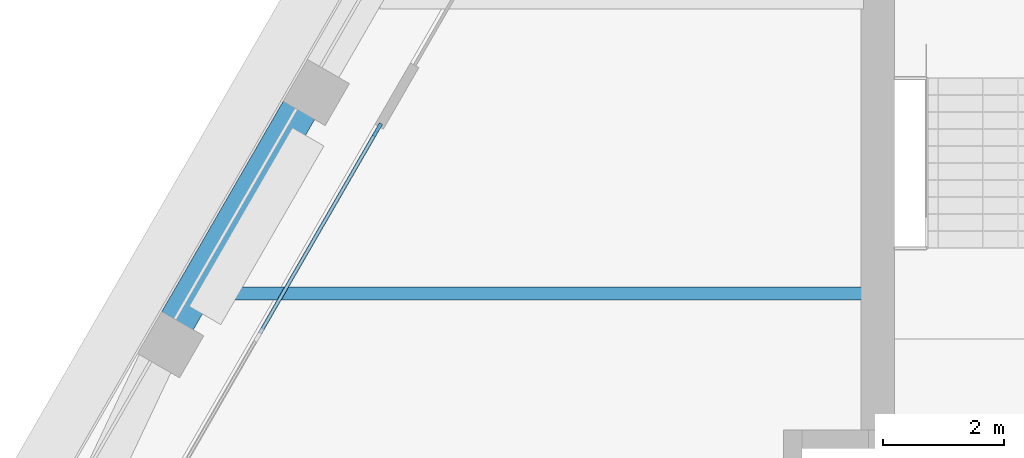
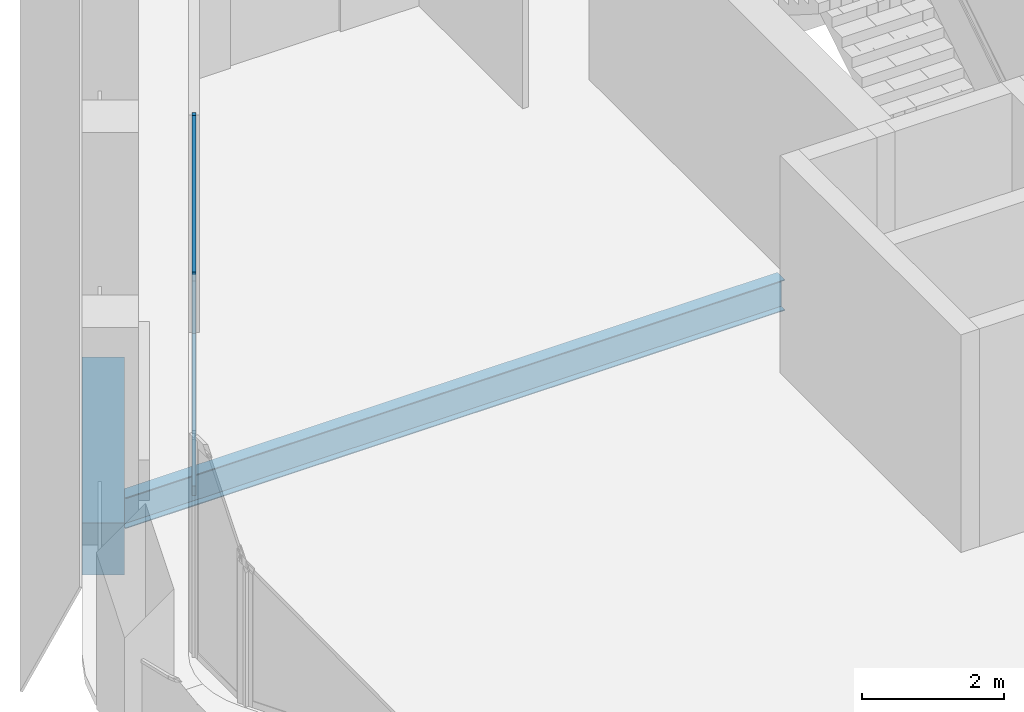
# One storey, part 3 of 17: 3 members, 2 beams, 1 element without a shape of its own.
"""IFC4 building model written with IfcOpenShell, lengths in metres."""

import ifcopenshell
import ifcopenshell.guid

model = None  # the IFC model being written
_history = None  # IfcOwnerHistory: only IFC2X3 demands one
_inside = {}  # id of a spatial element -> (the spatial element, [elements in it])
_under = {}  # id of a project, library or spatial element -> (it, [spatial elements below it])
_declared = {}  # id of a project -> (the project, [libraries it declares])
_typed = {}  # id of a type object -> (the type object, [elements of that type])
_made_of = {}  # id of a material, layer set ... -> (it, [elements and type objects made of it])


def new_model(schema):
    """Start an empty IFC model of exactly this schema.

    Asked for "IFC4X3", IfcOpenShell would pick the latest addendum, in which some entities
    have other attributes; the version numbers below select the first issue.
    IFC2X3 requires an IfcOwnerHistory on every rooted entity: one is made here for all.
    """
    global model, _history
    if schema == "IFC4X3":
        model = ifcopenshell.file(schema_version=(4, 3, 0, 0))
    else:
        model = ifcopenshell.file(schema=schema)
    _inside.clear()
    _under.clear()
    _declared.clear()
    _typed.clear()
    _made_of.clear()
    _history = None
    if model.schema == "IFC2X3":
        org = make("IfcOrganization", Name="unknown")
        user = make(
            "IfcPersonAndOrganization",
            ThePerson=make("IfcPerson", FamilyName="unknown"),
            TheOrganization=org,
        )
        app = make(
            "IfcApplication",
            ApplicationDeveloper=org,
            Version="unknown",
            ApplicationFullName="unknown",
            ApplicationIdentifier="unknown",
        )
        _history = make(
            "IfcOwnerHistory",
            OwningUser=user,
            OwningApplication=app,
            ChangeAction="ADDED",
            CreationDate=0,
        )
    return model


def make(cls, **values):
    """One entity of the class cls with the attributes given. An attribute that is None is left unset."""
    return model.create_entity(
        cls, **{name: value for name, value in values.items() if value is not None}
    )


def rooted(cls, **values):
    """An entity with a GlobalId (a new one), such as an element, a storey or a relation."""
    return make(cls, GlobalId=ifcopenshell.guid.new(), OwnerHistory=_history, **values)


def si_unit(unit_type, name, prefix=None):
    """IfcSIUnit, for example si_unit("LENGTHUNIT", "METRE", prefix="MILLI")."""
    return make("IfcSIUnit", UnitType=unit_type, Prefix=prefix, Name=name)


def assignment(units):
    """IfcUnitAssignment: the units of a project."""
    return None if units is None else make("IfcUnitAssignment", Units=units)


def point(xyz):
    """IfcCartesianPoint."""
    return None if xyz is None else make("IfcCartesianPoint", Coordinates=xyz)


def direction(xyz):
    """IfcDirection."""
    return None if xyz is None else make("IfcDirection", DirectionRatios=xyz)


def frame(location, z_axis=None, x_axis=None):
    """IfcAxis2Placement3D, a coordinate frame: its origin and axes. An axis left out is left unset."""
    return make(
        "IfcAxis2Placement3D",
        Location=point(location),
        Axis=direction(z_axis),
        RefDirection=direction(x_axis),
    )


def frame_2d(location, x_axis=None):
    """IfcAxis2Placement2D, a coordinate frame in the plane: its origin and x axis."""
    return make(
        "IfcAxis2Placement2D", Location=point(location), RefDirection=direction(x_axis)
    )


def origin():
    """The frame at (0, 0, 0) with its axes left unset."""
    return frame((0.0, 0.0, 0.0))


def origin_2d():
    """The frame at (0, 0) in the plane with its x axis left unset."""
    return frame_2d((0.0, 0.0))


def place(relative_to, where):
    """IfcLocalPlacement: puts the frame where relative to a parent placement (None: the world)."""
    return make(
        "IfcLocalPlacement", PlacementRelTo=relative_to, RelativePlacement=where
    )


def context(
    kind, dimensions, precision=None, world=None, true_north=None, identifier=None
):
    """IfcGeometricRepresentationContext, for example the 3D "Model" context."""
    return make(
        "IfcGeometricRepresentationContext",
        ContextIdentifier=identifier,
        ContextType=kind,
        CoordinateSpaceDimension=dimensions,
        Precision=precision,
        WorldCoordinateSystem=world,
        TrueNorth=true_north,
    )


def subcontext(parent, identifier, kind, view, scale=None):
    """IfcGeometricRepresentationSubContext, for example "Body" below "Model"."""
    return make(
        "IfcGeometricRepresentationSubContext",
        ContextIdentifier=identifier,
        ContextType=kind,
        ParentContext=parent,
        TargetScale=scale,
        TargetView=view,
    )


def project(units=None, contexts=None):
    """IfcProject with its units and contexts."""
    return rooted(
        "IfcProject",
        Name="project",
        RepresentationContexts=contexts,
        UnitsInContext=assignment(units),
    )


def spatial(cls, under=None, at=None, **own):
    """A site, building, storey or space (cls), placed at a placement, below another one or the project."""
    s = rooted(cls, ObjectPlacement=at, **own)
    if under is not None:
        _under.setdefault(under.id(), (under, []))[1].append(s)
    return s


def profile(cls, at=None, kind="AREA", **sizes):
    """A parametric profile (cls). Its sizes go by their IFC names, for example OverallWidth=200.0."""
    return make(cls, ProfileType=kind, Position=at, **sizes)


def rectangle(**sizes):
    """IfcRectangleProfileDef."""
    return profile("IfcRectangleProfileDef", **sizes)


def i_section(**sizes):
    """IfcIShapeProfileDef."""
    return profile("IfcIShapeProfileDef", **sizes)


def extrude(swept, where, along, depth):
    """IfcExtrudedAreaSolid: the profile swept, set in the frame where, extruded along a direction by depth."""
    return make(
        "IfcExtrudedAreaSolid",
        SweptArea=swept,
        Position=where,
        ExtrudedDirection=direction(along),
        Depth=depth,
    )


def shape(context_of_items, identifier, shape_type, items):
    """IfcShapeRepresentation: the items that make up one representation, for example the "Body"."""
    return make(
        "IfcShapeRepresentation",
        ContextOfItems=context_of_items,
        RepresentationIdentifier=identifier,
        RepresentationType=shape_type,
        Items=items,
    )


def material(Name=None, Category=None):
    """IfcMaterial."""
    return make("IfcMaterial", Name=Name, Category=Category)


def material_profile(
    of_material, cross_section, Name=None, Category=None, Priority=None
):
    """IfcMaterialProfile: a cross section and its material."""
    return make(
        "IfcMaterialProfile",
        Name=Name,
        Material=of_material,
        Profile=cross_section,
        Priority=Priority,
        Category=Category,
    )


def profile_set(profiles, Name=None, composite=None):
    """IfcMaterialProfileSet."""
    return make(
        "IfcMaterialProfileSet",
        Name=Name,
        MaterialProfiles=profiles,
        CompositeProfile=composite,
    )


def made_of(thing, what):
    """Note that an element or type object is made of a material, layer set ...; save() writes the relation."""
    if what is not None:
        _made_of.setdefault(what.id(), (what, []))[1].append(thing)
    return thing


def type_object(cls, material=None, **own):
    """A type object (cls), such as IfcWallType, which elements share."""
    return made_of(rooted(cls, **own), material)


def element(
    cls,
    number,
    at=None,
    inside=None,
    cuts=None,
    type_object=None,
    material=None,
    context=None,
    identifier="Body",
    shape_type=None,
    held_by="IfcProductDefinitionShape",
    body=None,
    shapes=None,
    **own,
):
    """One element of the class cls, such as IfcWall. Its Tag is "e" and its number.

    at: its placement. inside: the storey or other place that contains it. cuts: it is an
    opening in that element (IfcRelVoidsElement). A single representation is given by context,
    identifier, shape_type and body (its items); several are given by shapes. held_by: the class
    of the entity that holds the representations. save() writes the other relations.
    """
    e = rooted(cls, Tag="e%d" % number, ObjectPlacement=at, **own)
    if body is not None:
        shapes = [shape(context, identifier, shape_type, body)]
    if shapes is not None:
        e.Representation = make(held_by, Representations=shapes)
    if inside is not None:
        _inside.setdefault(inside.id(), (inside, []))[1].append(e)
    if cuts is not None:
        rooted(
            "IfcRelVoidsElement", RelatingBuildingElement=cuts, RelatedOpeningElement=e
        )
    if type_object is not None:
        _typed.setdefault(type_object.id(), (type_object, []))[1].append(e)
    return made_of(e, material)


def aggregate(whole, parts):
    """IfcRelAggregates: a whole, such as a stair, and the parts it consists of."""
    return rooted("IfcRelAggregates", RelatingObject=whole, RelatedObjects=parts)


def save(model, path):
    """Write the relations noted so far, then the file.

    IfcRelAggregates (storeys below a building ...), IfcRelContainedInSpatialStructure (elements
    in a storey), IfcRelDefinesByType, IfcRelAssociatesMaterial and IfcRelDeclares: one each for
    every whole, place, type object, material and project.
    """
    for whole, parts in _under.values():
        aggregate(whole, parts)
    for where, things in _inside.values():
        rooted(
            "IfcRelContainedInSpatialStructure",
            RelatedElements=things,
            RelatingStructure=where,
        )
    for kind, things in _typed.values():
        rooted("IfcRelDefinesByType", RelatedObjects=things, RelatingType=kind)
    for what, things in _made_of.values():
        rooted("IfcRelAssociatesMaterial", RelatedObjects=things, RelatingMaterial=what)
    for by, libraries in _declared.values():
        rooted("IfcRelDeclares", RelatingContext=by, RelatedDefinitions=libraries)
    model.write(path)


model = new_model("IFC4")

# Units and contexts
model_context = context("Model", 3, precision=1e-05, world=origin(), true_north=direction((0.0, 1.0)))
body_context = subcontext(model_context, "Body", "Model", "MODEL_VIEW")
ifc_project = project(units=[si_unit("LENGTHUNIT", "METRE"), si_unit("AREAUNIT", "SQUARE_METRE"), si_unit("VOLUMEUNIT", "CUBIC_METRE"), si_unit("PLANEANGLEUNIT", "RADIAN"), si_unit("MASSUNIT", "GRAM", prefix="KILO")], contexts=[model_context])

# Site, building, storey
site_placement = place(None, origin())
site = spatial("IfcSite", under=ifc_project, at=site_placement, CompositionType="ELEMENT")
building_placement = place(site_placement, origin())
building = spatial("IfcBuilding", under=site, at=building_placement, Name="Kolab Exchange Tower", CompositionType="ELEMENT")
storey_placement = place(building_placement, frame((0.0, 0.0, 285.199951171875)))
storey = spatial("IfcBuildingStorey", under=building, at=storey_placement, Name="L64", CompositionType="ELEMENT", Elevation=285.199951171875)

# Beams
ifc_material_1 = material(Name="Steel S355", Category="steel")
ifc_material_profile_1 = material_profile(ifc_material_1, i_section(OverallWidth=0.208984375, OverallDepth=0.532958984375, WebThickness=0.01025390625, FlangeThickness=0.015625, at=origin_2d()), Name="W530X92")
ifc_profile_set_1 = profile_set([ifc_material_profile_1], Name="Steel S355")
beam_type_1 = type_object("IfcBeamType", Name="FLOOR BEAM W530X92", PredefinedType="BEAM", material=ifc_profile_set_1)
beam_1_placement = place(storey_placement, frame((-20.575927734375, 4.800048828125, -0.41650390625), z_axis=(1.0, 0.0, 0.0), x_axis=(0.0, 1.0, 0.0)))
element("IfcBeam", 1, at=beam_1_placement, inside=storey, type_object=beam_type_1, Name="beam/L64/fr/002", PredefinedType="BEAM", context=body_context, shape_type="SweptSolid", body=[
    extrude(i_section(OverallWidth=0.208984375, OverallDepth=0.532958984375, WebThickness=0.01025390625, FlangeThickness=0.015625, at=origin_2d()), origin(), (0.0, 0.0, 1.0), 10.740966796875),
])
ifc_material_2 = material(Name="Concrete C50/60", Category="concrete")
ifc_material_profile_2 = material_profile(ifc_material_2, rectangle(XDim=0.60009765625, YDim=0.89990234375, at=origin_2d()), Name="RC600X900")
ifc_profile_set_2 = profile_set([ifc_material_profile_2], Name="Concrete C50/60")
beam_type_2 = type_object("IfcBeamType", Name="SPANDREL BEAM 600X900 C50/60", PredefinedType="BEAM", material=ifc_profile_set_2)
beam_2_placement = place(storey_placement, frame((-21.16015625, 4.318603515625, -0.599853515625), z_axis=(0.500000428765, 0.866025156237, 0.0), x_axis=(-0.866025156237, 0.500000428765, 0.0)))
element("IfcBeam", 2, at=beam_2_placement, inside=storey, type_object=beam_type_2, Name="beam/L64/sp/F6-02", PredefinedType="BEAM", context=body_context, shape_type="SweptSolid", body=[
    extrude(rectangle(XDim=0.60009765625, YDim=0.89990234375, at=origin_2d()), origin(), (0.0, 0.0, 1.0), 4.080078125),
])

# Curtain wall, members
ifc_material_3 = material(Name="Aluminium EN AW-6063 T6", Category="aluminium")
curtain_wall_type = type_object("IfcCurtainWallType", Name="UNITISED HIGH ZONE CURTAIN WALL", PredefinedType="NOTDEFINED", material=ifc_material_3)
curtain_wall_placement = place(storey_placement, origin())
curtain_wall = element("IfcCurtainWall", 3, at=curtain_wall_placement, inside=storey, type_object=curtain_wall_type, Name="cw/L64/F6-1", PredefinedType="NOTDEFINED")
ifc_material_profile_3 = material_profile(ifc_material_3, rectangle(XDim=0.06005859375, YDim=0.239990234375, at=origin_2d()), Name="RECT 60X240")
ifc_profile_set_3 = profile_set([ifc_material_profile_3], Name="Aluminium EN AW-6063 T6")
member_type_1 = type_object("IfcMemberType", Name="UNITISED HIGH ZONE MULLION 60 X 240", PredefinedType="MULLION", material=ifc_profile_set_3)
member_1_placement = place(storey_placement, frame((-17.8466796875, 7.497802734375, 0.0), z_axis=(0.0, 0.0, 1.0), x_axis=(-0.866025440524, 0.499999936366, 0.0)))
member_1 = element("IfcMember", 4, at=member_1_placement, type_object=member_type_1, Name="CW4 mullion 3", PredefinedType="MULLION", context=body_context, shape_type="SweptSolid", body=[
    extrude(rectangle(XDim=0.06005859375, YDim=0.239990234375, at=origin_2d()), origin(), (0.0, 0.0, 1.0), 3.75),
])
ifc_material_profile_4 = material_profile(ifc_material_3, rectangle(XDim=0.06005859375, YDim=0.159912109375, at=origin_2d()), Name="RECT 60X160")
ifc_profile_set_4 = profile_set([ifc_material_profile_4], Name="Aluminium EN AW-6063 T6")
member_type_2 = type_object("IfcMemberType", Name="UNITISED HIGH ZONE TRANSOM 60 X 160", PredefinedType="USERDEFINED", material=ifc_profile_set_4)
member_2_placement = place(storey_placement, frame((-19.78369140625, 4.142822265625, 0.030029296875), z_axis=(0.500011990396, 0.866018481016, 0.0), x_axis=(-0.866018481016, 0.500011990396, 0.0)))
member_2 = element("IfcMember", 5, at=member_2_placement, type_object=member_type_2, Name="CW4 transom 2.1", ObjectType="TRANSOM", PredefinedType="USERDEFINED", context=body_context, shape_type="SweptSolid", body=[
    extrude(rectangle(XDim=0.06005859375, YDim=0.159912109375, at=origin_2d()), origin(), (0.0, 0.0, 1.0), 3.84423828125),
])
member_3_placement = place(storey_placement, frame((-19.78369140625, 4.142822265625, 3.719970703125), z_axis=(0.500011990396, 0.866018481016, 0.0), x_axis=(-0.866018481016, 0.500011990396, 0.0)))
member_3 = element("IfcMember", 6, at=member_3_placement, type_object=member_type_2, Name="CW4 transom 2.2", ObjectType="TRANSOM", PredefinedType="USERDEFINED", context=body_context, shape_type="SweptSolid", body=[
    extrude(rectangle(XDim=0.06005859375, YDim=0.159912109375, at=origin_2d()), origin(), (0.0, 0.0, 1.0), 3.84423828125),
])
aggregate(curtain_wall, [member_1, member_2, member_3])

save(model, "model.ifc")
